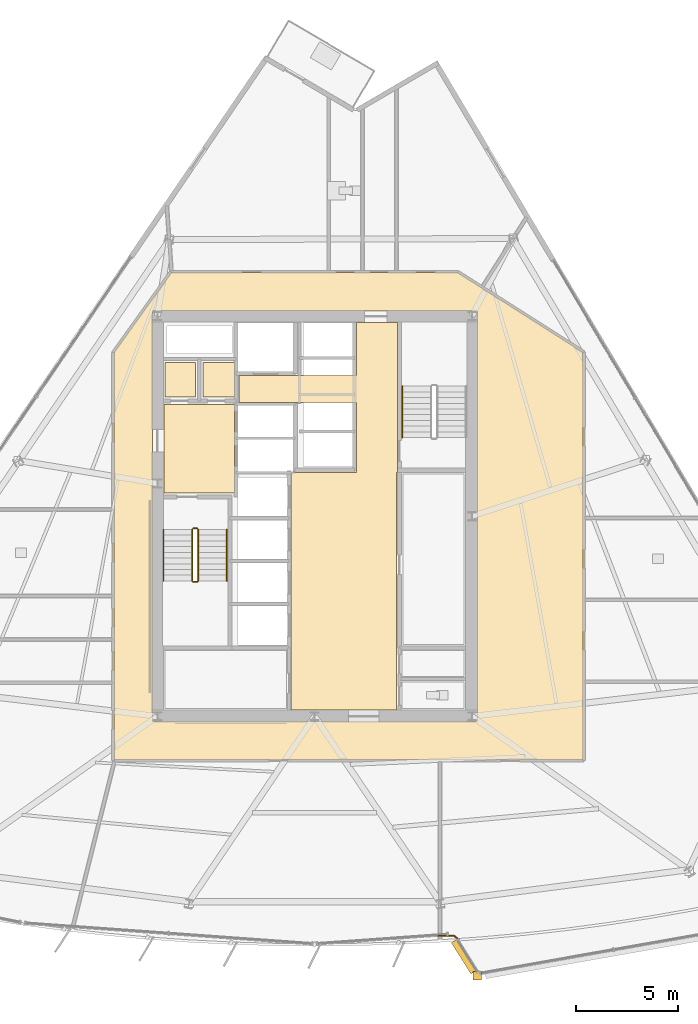
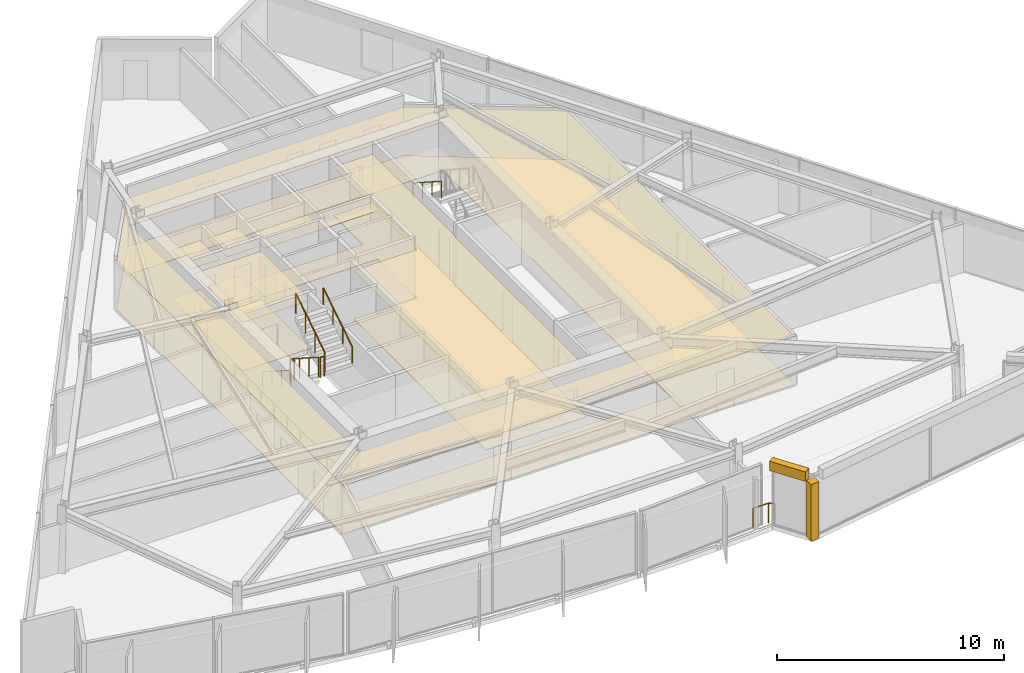
# One storey, part 12 of 15: 12 coverings, 8 railings.
"""IFC4 building model written with IfcOpenShell, lengths in metres."""

import ifcopenshell
import ifcopenshell.guid

model = None  # the IFC model being written
_history = None  # IfcOwnerHistory: only IFC2X3 demands one
_inside = {}  # id of a spatial element -> (the spatial element, [elements in it])
_under = {}  # id of a project, library or spatial element -> (it, [spatial elements below it])
_declared = {}  # id of a project -> (the project, [libraries it declares])
_typed = {}  # id of a type object -> (the type object, [elements of that type])
_made_of = {}  # id of a material, layer set ... -> (it, [elements and type objects made of it])


def new_model(schema):
    """Start an empty IFC model of exactly this schema.

    Asked for "IFC4X3", IfcOpenShell would pick the latest addendum, in which some entities
    have other attributes; the version numbers below select the first issue.
    IFC2X3 requires an IfcOwnerHistory on every rooted entity: one is made here for all.
    """
    global model, _history
    if schema == "IFC4X3":
        model = ifcopenshell.file(schema_version=(4, 3, 0, 0))
    else:
        model = ifcopenshell.file(schema=schema)
    _inside.clear()
    _under.clear()
    _declared.clear()
    _typed.clear()
    _made_of.clear()
    _history = None
    if model.schema == "IFC2X3":
        org = make("IfcOrganization", Name="unknown")
        user = make(
            "IfcPersonAndOrganization",
            ThePerson=make("IfcPerson", FamilyName="unknown"),
            TheOrganization=org,
        )
        app = make(
            "IfcApplication",
            ApplicationDeveloper=org,
            Version="unknown",
            ApplicationFullName="unknown",
            ApplicationIdentifier="unknown",
        )
        _history = make(
            "IfcOwnerHistory",
            OwningUser=user,
            OwningApplication=app,
            ChangeAction="ADDED",
            CreationDate=0,
        )
    return model


def make(cls, **values):
    """One entity of the class cls with the attributes given. An attribute that is None is left unset."""
    return model.create_entity(
        cls, **{name: value for name, value in values.items() if value is not None}
    )


def rooted(cls, **values):
    """An entity with a GlobalId (a new one), such as an element, a storey or a relation."""
    return make(cls, GlobalId=ifcopenshell.guid.new(), OwnerHistory=_history, **values)


def si_unit(unit_type, name, prefix=None):
    """IfcSIUnit, for example si_unit("LENGTHUNIT", "METRE", prefix="MILLI")."""
    return make("IfcSIUnit", UnitType=unit_type, Prefix=prefix, Name=name)


def assignment(units):
    """IfcUnitAssignment: the units of a project."""
    return None if units is None else make("IfcUnitAssignment", Units=units)


def point(xyz):
    """IfcCartesianPoint."""
    return None if xyz is None else make("IfcCartesianPoint", Coordinates=xyz)


def direction(xyz):
    """IfcDirection."""
    return None if xyz is None else make("IfcDirection", DirectionRatios=xyz)


def frame(location, z_axis=None, x_axis=None):
    """IfcAxis2Placement3D, a coordinate frame: its origin and axes. An axis left out is left unset."""
    return make(
        "IfcAxis2Placement3D",
        Location=point(location),
        Axis=direction(z_axis),
        RefDirection=direction(x_axis),
    )


def frame_2d(location, x_axis=None):
    """IfcAxis2Placement2D, a coordinate frame in the plane: its origin and x axis."""
    return make(
        "IfcAxis2Placement2D", Location=point(location), RefDirection=direction(x_axis)
    )


def origin():
    """The frame at (0, 0, 0) with its axes left unset."""
    return frame((0.0, 0.0, 0.0))


def origin_2d():
    """The frame at (0, 0) in the plane with its x axis left unset."""
    return frame_2d((0.0, 0.0))


def place(relative_to, where):
    """IfcLocalPlacement: puts the frame where relative to a parent placement (None: the world)."""
    return make(
        "IfcLocalPlacement", PlacementRelTo=relative_to, RelativePlacement=where
    )


def context(
    kind, dimensions, precision=None, world=None, true_north=None, identifier=None
):
    """IfcGeometricRepresentationContext, for example the 3D "Model" context."""
    return make(
        "IfcGeometricRepresentationContext",
        ContextIdentifier=identifier,
        ContextType=kind,
        CoordinateSpaceDimension=dimensions,
        Precision=precision,
        WorldCoordinateSystem=world,
        TrueNorth=true_north,
    )


def subcontext(parent, identifier, kind, view, scale=None):
    """IfcGeometricRepresentationSubContext, for example "Body" below "Model"."""
    return make(
        "IfcGeometricRepresentationSubContext",
        ContextIdentifier=identifier,
        ContextType=kind,
        ParentContext=parent,
        TargetScale=scale,
        TargetView=view,
    )


def project(units=None, contexts=None):
    """IfcProject with its units and contexts."""
    return rooted(
        "IfcProject",
        Name="project",
        RepresentationContexts=contexts,
        UnitsInContext=assignment(units),
    )


def spatial(cls, under=None, at=None, **own):
    """A site, building, storey or space (cls), placed at a placement, below another one or the project."""
    s = rooted(cls, ObjectPlacement=at, **own)
    if under is not None:
        _under.setdefault(under.id(), (under, []))[1].append(s)
    return s


def polyline(points):
    """IfcPolyline through the points."""
    return make("IfcPolyline", Points=[point(p) for p in points])


def profile(cls, at=None, kind="AREA", **sizes):
    """A parametric profile (cls). Its sizes go by their IFC names, for example OverallWidth=200.0."""
    return make(cls, ProfileType=kind, Position=at, **sizes)


def circle(**sizes):
    """IfcCircleProfileDef."""
    return profile("IfcCircleProfileDef", **sizes)


def outline(outer, holes=None, kind="AREA"):
    """IfcArbitraryClosedProfileDef: a profile drawn as a closed curve; with holes, ...WithVoids."""
    if holes is None:
        return make("IfcArbitraryClosedProfileDef", ProfileType=kind, OuterCurve=outer)
    return make(
        "IfcArbitraryProfileDefWithVoids",
        ProfileType=kind,
        OuterCurve=outer,
        InnerCurves=holes,
    )


def extrude(swept, where, along, depth):
    """IfcExtrudedAreaSolid: the profile swept, set in the frame where, extruded along a direction by depth."""
    return make(
        "IfcExtrudedAreaSolid",
        SweptArea=swept,
        Position=where,
        ExtrudedDirection=direction(along),
        Depth=depth,
    )


def shape(context_of_items, identifier, shape_type, items):
    """IfcShapeRepresentation: the items that make up one representation, for example the "Body"."""
    return make(
        "IfcShapeRepresentation",
        ContextOfItems=context_of_items,
        RepresentationIdentifier=identifier,
        RepresentationType=shape_type,
        Items=items,
    )


def material(Name=None, Category=None):
    """IfcMaterial."""
    return make("IfcMaterial", Name=Name, Category=Category)


def layer(
    of_material, thickness, ventilated=None, Name=None, Category=None, Priority=None
):
    """IfcMaterialLayer: one layer of a wall or slab, of a material (None: an air gap)."""
    return make(
        "IfcMaterialLayer",
        Material=of_material,
        LayerThickness=thickness,
        IsVentilated=ventilated,
        Name=Name,
        Category=Category,
        Priority=Priority,
    )


def layer_set(layers, Name=None):
    """IfcMaterialLayerSet."""
    return make("IfcMaterialLayerSet", MaterialLayers=layers, LayerSetName=Name)


def made_of(thing, what):
    """Note that an element or type object is made of a material, layer set ...; save() writes the relation."""
    if what is not None:
        _made_of.setdefault(what.id(), (what, []))[1].append(thing)
    return thing


def type_object(cls, material=None, **own):
    """A type object (cls), such as IfcWallType, which elements share."""
    return made_of(rooted(cls, **own), material)


def element(
    cls,
    number,
    at=None,
    inside=None,
    cuts=None,
    type_object=None,
    material=None,
    context=None,
    identifier="Body",
    shape_type=None,
    held_by="IfcProductDefinitionShape",
    body=None,
    shapes=None,
    **own,
):
    """One element of the class cls, such as IfcWall. Its Tag is "e" and its number.

    at: its placement. inside: the storey or other place that contains it. cuts: it is an
    opening in that element (IfcRelVoidsElement). A single representation is given by context,
    identifier, shape_type and body (its items); several are given by shapes. held_by: the class
    of the entity that holds the representations. save() writes the other relations.
    """
    e = rooted(cls, Tag="e%d" % number, ObjectPlacement=at, **own)
    if body is not None:
        shapes = [shape(context, identifier, shape_type, body)]
    if shapes is not None:
        e.Representation = make(held_by, Representations=shapes)
    if inside is not None:
        _inside.setdefault(inside.id(), (inside, []))[1].append(e)
    if cuts is not None:
        rooted(
            "IfcRelVoidsElement", RelatingBuildingElement=cuts, RelatedOpeningElement=e
        )
    if type_object is not None:
        _typed.setdefault(type_object.id(), (type_object, []))[1].append(e)
    return made_of(e, material)


def aggregate(whole, parts):
    """IfcRelAggregates: a whole, such as a stair, and the parts it consists of."""
    return rooted("IfcRelAggregates", RelatingObject=whole, RelatedObjects=parts)


def save(model, path):
    """Write the relations noted so far, then the file.

    IfcRelAggregates (storeys below a building ...), IfcRelContainedInSpatialStructure (elements
    in a storey), IfcRelDefinesByType, IfcRelAssociatesMaterial and IfcRelDeclares: one each for
    every whole, place, type object, material and project.
    """
    for whole, parts in _under.values():
        aggregate(whole, parts)
    for where, things in _inside.values():
        rooted(
            "IfcRelContainedInSpatialStructure",
            RelatedElements=things,
            RelatingStructure=where,
        )
    for kind, things in _typed.values():
        rooted("IfcRelDefinesByType", RelatedObjects=things, RelatingType=kind)
    for what, things in _made_of.values():
        rooted("IfcRelAssociatesMaterial", RelatedObjects=things, RelatingMaterial=what)
    for by, libraries in _declared.values():
        rooted("IfcRelDeclares", RelatingContext=by, RelatedDefinitions=libraries)
    model.write(path)


model = new_model("IFC4")

# Units and contexts
model_context = context("Model", 3, precision=1e-05, world=origin(), true_north=direction((0.0, 1.0)))
body_context = subcontext(model_context, "Body", "Model", "MODEL_VIEW")
ifc_project = project(units=[si_unit("LENGTHUNIT", "METRE"), si_unit("AREAUNIT", "SQUARE_METRE"), si_unit("VOLUMEUNIT", "CUBIC_METRE"), si_unit("PLANEANGLEUNIT", "RADIAN"), si_unit("MASSUNIT", "GRAM", prefix="KILO")], contexts=[model_context])

# Site, building, storey
site_placement = place(None, origin())
site = spatial("IfcSite", under=ifc_project, at=site_placement, CompositionType="ELEMENT")
building_placement = place(site_placement, origin())
building = spatial("IfcBuilding", under=site, at=building_placement, Name="Savorim Split Tower", CompositionType="ELEMENT")
storey_placement = place(building_placement, frame((0.0, 0.0, 125.699951171875)))
storey = spatial("IfcBuildingStorey", under=building, at=storey_placement, Name="L33", CompositionType="ELEMENT", Elevation=125.699951171875)

# Coverings
ifc_material_1 = material(Name="Mineral Fibre Acoustic Ceiling")
ifc_layer_1 = layer(ifc_material_1, 0.02490234375)
ifc_layer_set_1 = layer_set([ifc_layer_1], Name="COV-CEIL-25")
covering_type_1 = type_object("IfcCoveringType", Name="COV-CEIL-25", PredefinedType="CEILING", material=ifc_layer_set_1)
covering_1_placement = place(storey_placement, frame((0.0, 0.0, 2.60009765625)))
element("IfcCovering", 1, at=covering_1_placement, inside=storey, type_object=covering_type_1, Name="L33 Firefighting Lift Lobby Acoustic Ceiling", PredefinedType="CEILING", context=body_context, shape_type="SweptSolid", body=[
    extrude(outline(polyline([(-7.3798828125, 5.8701171875), (-7.3798828125, 1.530029296875), (-3.929931640625, 1.530029296875), (-3.929931640625, 5.8701171875), (-7.3798828125, 5.8701171875)])), origin(), (0.0, 0.0, 1.0), 0.02490234375),
])
covering_2_placement = place(storey_placement, frame((0.0, 0.0, 2.60009765625)))
element("IfcCovering", 2, at=covering_2_placement, inside=storey, type_object=covering_type_1, Name="L33 Electrical Riser Acoustic Ceiling", PredefinedType="CEILING", context=body_context, shape_type="SweptSolid", body=[
    extrude(outline(polyline([(-7.320068359375, 7.919921875), (-7.320068359375, 6.22998046875), (-5.830078125, 6.22998046875), (-5.830078125, 7.919921875), (-7.320068359375, 7.919921875)])), origin(), (0.0, 0.0, 1.0), 0.02490234375),
])
covering_3_placement = place(storey_placement, frame((0.0, 0.0, 2.60009765625)))
element("IfcCovering", 3, at=covering_3_placement, inside=storey, type_object=covering_type_1, Name="L33 Telecom Riser Acoustic Ceiling", PredefinedType="CEILING", context=body_context, shape_type="SweptSolid", body=[
    extrude(outline(polyline([(-5.469970703125, 7.919921875), (-5.469970703125, 6.22998046875), (-3.929931640625, 6.22998046875), (-3.929931640625, 7.919921875), (-5.469970703125, 7.919921875)])), origin(), (0.0, 0.0, 1.0), 0.02490234375),
])
covering_4_placement = place(storey_placement, frame((0.0, 0.0, 2.60009765625)))
element("IfcCovering", 4, at=covering_4_placement, inside=storey, type_object=covering_type_1, Name="L33 Lift Lobby Acoustic Ceiling", PredefinedType="CEILING", context=body_context, shape_type="SweptSolid", body=[
    extrude(outline(polyline([(2.050048828125, 2.550048828125), (-1.14990234375, 2.550048828125), (-1.14990234375, -9.10009765625), (4.0, -9.10009765625), (4.0, 2.550048828125), (4.050048828125, 2.550048828125), (4.050048828125, 5.97998046875), (4.050048828125, 7.300048828125), (4.050048828125, 9.8798828125), (2.050048828125, 9.8798828125), (2.050048828125, 7.300048828125), (-3.699951171875, 7.300048828125), (-3.699951171875, 5.97998046875), (2.050048828125, 5.97998046875), (2.050048828125, 2.550048828125)])), origin(), (0.0, 0.0, 1.0), 0.02490234375),
])
covering_5_placement = place(storey_placement, frame((0.0, 0.0, 2.60009765625)))
element("IfcCovering", 5, at=covering_5_placement, inside=storey, type_object=covering_type_1, Name="L33 Corridor Acoustic Ceiling", PredefinedType="CEILING", context=body_context, shape_type="SweptSolid", body=[
    extrude(outline(polyline([(7.009521484375, 12.3291015625), (7.004638671875, 12.329833984375), (7.0, 12.330078125), (-7.0, 12.330078125), (-7.004638671875, 12.329833984375), (-7.009521484375, 12.3291015625), (-7.013916015625, 12.327880859375), (-7.0185546875, 12.326416015625), (-7.022705078125, 12.324462890625), (-7.027099609375, 12.322021484375), (-7.03076171875, 12.3193359375), (-7.034423828125, 12.31640625), (-7.03759765625, 12.312744140625), (-7.04052734375, 12.30908203125), (-9.820556640625, 8.42919921875), (-9.823486328125, 8.4248046875), (-9.82568359375, 8.420166015625), (-9.82763671875, 8.415283203125), (-9.828857421875, 8.410400390625), (-9.82958984375, 8.4052734375), (-9.830078125, 8.39990234375), (-9.830078125, -11.47998046875), (-9.829833984375, -11.48486328125), (-9.8291015625, -11.48974609375), (-9.827880859375, -11.494384765625), (-9.826171875, -11.4990234375), (-9.82421875, -11.503662109375), (-9.821533203125, -11.5078125), (-9.818603515625, -11.51171875), (-9.8154296875, -11.515380859375), (-9.811767578125, -11.518798828125), (-9.807861328125, -11.521484375), (-9.8037109375, -11.524169921875), (-9.799072265625, -11.526123046875), (-9.79443359375, -11.52783203125), (-9.789794921875, -11.529052734375), (-9.784912109375, -11.52978515625), (-9.780029296875, -11.530029296875), (13.10009765625, -11.530029296875), (13.10498046875, -11.52978515625), (13.10986328125, -11.529052734375), (13.114501953125, -11.52783203125), (13.119140625, -11.526123046875), (13.12353515625, -11.524169921875), (13.127685546875, -11.521484375), (13.131591796875, -11.518798828125), (13.135498046875, -11.515380859375), (13.138671875, -11.51171875), (13.1416015625, -11.5078125), (13.14404296875, -11.503662109375), (13.146240234375, -11.4990234375), (13.147705078125, -11.494384765625), (13.14892578125, -11.48974609375), (13.14990234375, -11.48486328125), (13.14990234375, -11.47998046875), (13.14990234375, 8.39990234375), (13.149658203125, 8.405029296875), (13.14892578125, 8.409912109375), (13.147705078125, 8.414794921875), (13.14599609375, 8.41943359375), (13.143798828125, 8.424072265625), (13.14111328125, 8.42822265625), (13.13818359375, 8.432373046875), (13.134765625, 8.43603515625), (13.130859375, 8.439208984375), (13.126708984375, 8.442138671875), (7.02685546875, 12.322265625), (7.022705078125, 12.324462890625), (7.018310546875, 12.326416015625), (7.013916015625, 12.327880859375), (7.009521484375, 12.3291015625)]), holes=[polyline([(-7.949951171875, 10.449951171875), (-7.949951171875, -9.64990234375), (7.949951171875, -9.64990234375), (7.949951171875, 10.449951171875), (-7.949951171875, 10.449951171875)])]), origin(), (0.0, 0.0, 1.0), 0.02490234375),
])
ifc_material_2 = material(Name="Porcelain Stoneware Flooring", Category="masonry")
ifc_layer_2 = layer(ifc_material_2, 0.02001953125)
ifc_layer_set_2 = layer_set([ifc_layer_2], Name="COV-FLOR-20")
covering_type_2 = type_object("IfcCoveringType", Name="COV-FLOR-20", PredefinedType="FLOORING", material=ifc_layer_set_2)
covering_6_placement = place(storey_placement, origin())
element("IfcCovering", 6, at=covering_6_placement, inside=storey, type_object=covering_type_2, Name="L33 Firefighting Lift Lobby Porcelain Flooring", PredefinedType="FLOORING", context=body_context, shape_type="SweptSolid", body=[
    extrude(outline(polyline([(-7.3798828125, 5.8701171875), (-7.3798828125, 1.530029296875), (-3.929931640625, 1.530029296875), (-3.929931640625, 5.8701171875), (-7.3798828125, 5.8701171875)])), origin(), (0.0, 0.0, 1.0), 0.02001953125),
])
covering_7_placement = place(storey_placement, origin())
element("IfcCovering", 7, at=covering_7_placement, inside=storey, type_object=covering_type_2, Name="L33 Electrical Riser Porcelain Flooring", PredefinedType="FLOORING", context=body_context, shape_type="SweptSolid", body=[
    extrude(outline(polyline([(-7.320068359375, 7.919921875), (-7.320068359375, 6.22998046875), (-5.830078125, 6.22998046875), (-5.830078125, 7.919921875), (-7.320068359375, 7.919921875)])), origin(), (0.0, 0.0, 1.0), 0.02001953125),
])
covering_8_placement = place(storey_placement, origin())
element("IfcCovering", 8, at=covering_8_placement, inside=storey, type_object=covering_type_2, Name="L33 Telecom Riser Porcelain Flooring", PredefinedType="FLOORING", context=body_context, shape_type="SweptSolid", body=[
    extrude(outline(polyline([(-5.469970703125, 7.919921875), (-5.469970703125, 6.22998046875), (-3.929931640625, 6.22998046875), (-3.929931640625, 7.919921875), (-5.469970703125, 7.919921875)])), origin(), (0.0, 0.0, 1.0), 0.02001953125),
])
covering_9_placement = place(storey_placement, origin())
element("IfcCovering", 9, at=covering_9_placement, inside=storey, type_object=covering_type_2, Name="L33 Lift Lobby Porcelain Flooring", PredefinedType="FLOORING", context=body_context, shape_type="SweptSolid", body=[
    extrude(outline(polyline([(2.050048828125, 2.550048828125), (-1.14990234375, 2.550048828125), (-1.14990234375, -9.10009765625), (4.0, -9.10009765625), (4.0, 2.550048828125), (4.050048828125, 2.550048828125), (4.050048828125, 5.97998046875), (4.050048828125, 7.300048828125), (4.050048828125, 9.8798828125), (2.050048828125, 9.8798828125), (2.050048828125, 7.300048828125), (-3.699951171875, 7.300048828125), (-3.699951171875, 5.97998046875), (2.050048828125, 5.97998046875), (2.050048828125, 2.550048828125)])), origin(), (0.0, 0.0, 1.0), 0.02001953125),
])
covering_10_placement = place(storey_placement, origin())
element("IfcCovering", 10, at=covering_10_placement, inside=storey, type_object=covering_type_2, Name="L33 Corridor Porcelain Flooring", PredefinedType="FLOORING", context=body_context, shape_type="SweptSolid", body=[
    extrude(outline(polyline([(7.009521484375, 12.3291015625), (7.004638671875, 12.329833984375), (7.0, 12.330078125), (-7.0, 12.330078125), (-7.004638671875, 12.329833984375), (-7.009521484375, 12.3291015625), (-7.013916015625, 12.327880859375), (-7.0185546875, 12.326416015625), (-7.022705078125, 12.324462890625), (-7.027099609375, 12.322021484375), (-7.03076171875, 12.3193359375), (-7.034423828125, 12.31640625), (-7.03759765625, 12.312744140625), (-7.04052734375, 12.30908203125), (-9.820556640625, 8.42919921875), (-9.823486328125, 8.4248046875), (-9.82568359375, 8.420166015625), (-9.82763671875, 8.415283203125), (-9.828857421875, 8.410400390625), (-9.82958984375, 8.4052734375), (-9.830078125, 8.39990234375), (-9.830078125, -11.47998046875), (-9.829833984375, -11.48486328125), (-9.8291015625, -11.48974609375), (-9.827880859375, -11.494384765625), (-9.826171875, -11.4990234375), (-9.82421875, -11.503662109375), (-9.821533203125, -11.5078125), (-9.818603515625, -11.51171875), (-9.8154296875, -11.515380859375), (-9.811767578125, -11.518798828125), (-9.807861328125, -11.521484375), (-9.8037109375, -11.524169921875), (-9.799072265625, -11.526123046875), (-9.79443359375, -11.52783203125), (-9.789794921875, -11.529052734375), (-9.784912109375, -11.52978515625), (-9.780029296875, -11.530029296875), (13.10009765625, -11.530029296875), (13.10498046875, -11.52978515625), (13.10986328125, -11.529052734375), (13.114501953125, -11.52783203125), (13.119140625, -11.526123046875), (13.12353515625, -11.524169921875), (13.127685546875, -11.521484375), (13.131591796875, -11.518798828125), (13.135498046875, -11.515380859375), (13.138671875, -11.51171875), (13.1416015625, -11.5078125), (13.14404296875, -11.503662109375), (13.146240234375, -11.4990234375), (13.147705078125, -11.494384765625), (13.14892578125, -11.48974609375), (13.14990234375, -11.48486328125), (13.14990234375, -11.47998046875), (13.14990234375, 8.39990234375), (13.149658203125, 8.405029296875), (13.14892578125, 8.409912109375), (13.147705078125, 8.414794921875), (13.14599609375, 8.41943359375), (13.143798828125, 8.424072265625), (13.14111328125, 8.42822265625), (13.13818359375, 8.432373046875), (13.134765625, 8.43603515625), (13.130859375, 8.439208984375), (13.126708984375, 8.442138671875), (7.02685546875, 12.322265625), (7.022705078125, 12.324462890625), (7.018310546875, 12.326416015625), (7.013916015625, 12.327880859375), (7.009521484375, 12.3291015625)]), holes=[polyline([(-7.949951171875, 10.449951171875), (-7.949951171875, -9.64990234375), (7.949951171875, -9.64990234375), (7.949951171875, 10.449951171875), (-7.949951171875, 10.449951171875)])]), origin(), (0.0, 0.0, 1.0), 0.02001953125),
])
ifc_material_3 = material(Name="White Porcelain Architectural Cladding")
ifc_layer_3 = layer(ifc_material_3, 0.139892578125)
ifc_layer_set_3 = layer_set([ifc_layer_3], Name="COV-FRM-WHITE")
covering_type_3 = type_object("IfcCoveringType", Name="COV-FRM-WHITE", PredefinedType="CLADDING", material=ifc_layer_set_3)
covering_11_placement = place(storey_placement, frame((0.0, 0.0, 3.080078125)))
element("IfcCovering", 11, at=covering_11_placement, inside=storey, type_object=covering_type_3, Name="L33 Cantilevered Lounge White Upper Cornice Band W", PredefinedType="CLADDING", context=body_context, shape_type="SweptSolid", body=[
    extrude(outline(polyline([(6.696533203125, -20.48828125), (7.653076171875, -22.01318359375), (7.941162109375, -21.83251953125), (6.984619140625, -20.3076171875), (6.696533203125, -20.48828125)])), origin(), (0.0, 0.0, 1.0), 0.510009765625),
])
covering_12_placement = place(storey_placement, frame((0.0, 0.0, 0.010009765625)))
element("IfcCovering", 12, at=covering_12_placement, inside=storey, type_object=covering_type_3, Name="L33 Cantilevered Lounge White Frame Corner Post 1", PredefinedType="CLADDING", context=body_context, shape_type="SweptSolid", body=[
    extrude(outline(polyline([(7.757080078125, -22.3095703125), (8.177001953125, -22.3095703125), (8.177001953125, -21.889404296875), (7.757080078125, -21.889404296875), (7.757080078125, -22.3095703125)])), origin(), (0.0, 0.0, 1.0), 3.050048828125),
])

# Railings
ifc_material_4 = material(Name="Galvanised Painted Steel Balustrade", Category="steel")
railing_type_1 = type_object("IfcRailingType", Name="RLG-BAL-1100", PredefinedType="BALUSTRADE", material=ifc_material_4)
railing_1_placement = place(storey_placement, frame((6.060302734375, -20.153564453125, 0.0)))
element("IfcRailing", 13, at=railing_1_placement, inside=storey, type_object=railing_type_1, Name="L33 Cantilevered Lounge West Edge Closure Guard", PredefinedType="BALUSTRADE", context=body_context, shape_type="SweptSolid", body=[
    extrude(circle(Radius=0.02392578125, at=origin_2d()), frame((0.0, 0.0, 1.076171875), z_axis=(1.0, 0.0, 0.0), x_axis=(0.0, 1.0, 0.0)), (0.0, 0.0, 1.0), 0.780029296875),
    extrude(circle(Radius=0.02392578125, at=origin_2d()), frame((0.780029296875, 0.0, 1.076171875), z_axis=(0.810013375231, -0.586411401617, 0.0), x_axis=(0.586411401617, 0.810013375231, 0.0)), (0.0, 0.0, 1.0), 0.280517578125),
    extrude(circle(Radius=0.02099609375, at=origin_2d()), origin(), (0.0, 0.0, 1.0), 1.052001953125),
    extrude(circle(Radius=0.02099609375, at=origin_2d()), frame((0.780029296875, 0.0, 0.0)), (0.0, 0.0, 1.0), 1.052001953125),
    extrude(circle(Radius=0.02099609375, at=origin_2d()), frame((1.00732421875, -0.16455078125, 0.0)), (0.0, 0.0, 1.0), 1.052001953125),
])
railing_type_2 = type_object("IfcRailingType", Name="RLG-HR-900", PredefinedType="HANDRAIL", material=ifc_material_4)
railing_2_placement = place(storey_placement, frame((-7.39990234375, -0.25, 0.179931640625)))
element("IfcRailing", 14, at=railing_2_placement, inside=storey, type_object=railing_type_2, Name="L33 ST-1 stair handrail 1", PredefinedType="HANDRAIL", context=body_context, shape_type="SweptSolid", body=[
    extrude(circle(Radius=0.02392578125, at=origin_2d()), frame((0.0, 0.0, 0.8759765625), z_axis=(0.0, -0.841162588446, 0.540782303519), x_axis=(1.0, 0.0, 0.0)), (0.0, 0.0, 1.0), 2.995849609375),
    extrude(circle(Radius=0.02099609375, at=origin_2d()), origin(), (0.0, 0.0, 1.0), 0.851806640625),
    extrude(circle(Radius=0.02099609375, at=origin_2d()), frame((0.0, -0.840087890625, 0.5400390625)), (0.0, 0.0, 1.0), 0.851806640625),
    extrude(circle(Radius=0.02099609375, at=origin_2d()), frame((0.0, -1.679931640625, 1.080078125)), (0.0, 0.0, 1.0), 0.851806640625),
    extrude(circle(Radius=0.02099609375, at=origin_2d()), frame((0.0, -2.52001953125, 1.6201171875)), (0.0, 0.0, 1.0), 0.851806640625),
])
railing_3_placement = place(storey_placement, frame((-4.300048828125, -2.77001953125, 1.97998046875)))
element("IfcRailing", 15, at=railing_3_placement, inside=storey, type_object=railing_type_2, Name="L33 ST-1 stair handrail 2", PredefinedType="HANDRAIL", context=body_context, shape_type="SweptSolid", body=[
    extrude(circle(Radius=0.02392578125, at=origin_2d()), frame((0.0, 0.0, 0.8759765625), z_axis=(0.0, 0.841162588446, 0.540782303519), x_axis=(-1.0, 0.0, 0.0)), (0.0, 0.0, 1.0), 2.995849609375),
    extrude(circle(Radius=0.02099609375, at=origin_2d()), origin(), (0.0, 0.0, 1.0), 0.851806640625),
    extrude(circle(Radius=0.02099609375, at=origin_2d()), frame((0.0, 0.840087890625, 0.5400390625)), (0.0, 0.0, 1.0), 0.851806640625),
    extrude(circle(Radius=0.02099609375, at=origin_2d()), frame((0.0, 1.679931640625, 1.080078125)), (0.0, 0.0, 1.0), 0.851806640625),
    extrude(circle(Radius=0.02099609375, at=origin_2d()), frame((0.0, 2.52001953125, 1.6201171875)), (0.0, 0.0, 1.0), 0.851806640625),
])
railing_4_placement = place(storey_placement, frame((4.300048828125, 6.77001953125, 1.97998046875)))
element("IfcRailing", 16, at=railing_4_placement, inside=storey, type_object=railing_type_2, Name="L33 ST-2 stair handrail 2", PredefinedType="HANDRAIL", context=body_context, shape_type="SweptSolid", body=[
    extrude(circle(Radius=0.02392578125, at=origin_2d()), frame((0.0, 0.0, 0.8759765625), z_axis=(0.0, -0.841162588446, 0.540782303519), x_axis=(1.0, 0.0, 0.0)), (0.0, 0.0, 1.0), 2.995849609375),
    extrude(circle(Radius=0.02099609375, at=origin_2d()), origin(), (0.0, 0.0, 1.0), 0.851806640625),
    extrude(circle(Radius=0.02099609375, at=origin_2d()), frame((0.0, -0.840087890625, 0.5400390625)), (0.0, 0.0, 1.0), 0.851806640625),
    extrude(circle(Radius=0.02099609375, at=origin_2d()), frame((0.0, -1.679931640625, 1.080078125)), (0.0, 0.0, 1.0), 0.851806640625),
    extrude(circle(Radius=0.02099609375, at=origin_2d()), frame((0.0, -2.52001953125, 1.6201171875)), (0.0, 0.0, 1.0), 0.851806640625),
])
railing_type_3 = type_object("IfcRailingType", Name="RLG-STG-1100", PredefinedType="BALUSTRADE", material=ifc_material_4)
railing_5_placement = place(storey_placement, frame((-6.0, -0.25, 0.179931640625)))
element("IfcRailing", 17, at=railing_5_placement, inside=storey, type_object=railing_type_3, Name="L33 ST-1 stair guard 1", PredefinedType="BALUSTRADE", context=body_context, shape_type="SweptSolid", body=[
    extrude(circle(Radius=0.02392578125, at=origin_2d()), frame((0.0, 0.0, 1.076171875), z_axis=(0.0, -0.841162588446, 0.540782303519), x_axis=(1.0, 0.0, 0.0)), (0.0, 0.0, 1.0), 2.995849609375),
    extrude(circle(Radius=0.02099609375, at=origin_2d()), origin(), (0.0, 0.0, 1.0), 1.052001953125),
    extrude(circle(Radius=0.02099609375, at=origin_2d()), frame((0.0, -0.840087890625, 0.5400390625)), (0.0, 0.0, 1.0), 1.052001953125),
    extrude(circle(Radius=0.02099609375, at=origin_2d()), frame((0.0, -1.679931640625, 1.080078125)), (0.0, 0.0, 1.0), 1.052001953125),
    extrude(circle(Radius=0.02099609375, at=origin_2d()), frame((0.0, -2.52001953125, 1.6201171875)), (0.0, 0.0, 1.0), 1.052001953125),
])
railing_6_placement = place(storey_placement, frame((-5.949951171875, -2.820068359375, 1.800048828125)))
element("IfcRailing", 18, at=railing_6_placement, inside=storey, type_object=railing_type_3, Name="L33 ST-1 stair guard 2", PredefinedType="BALUSTRADE", context=body_context, shape_type="SweptSolid", body=[
    extrude(circle(Radius=0.02392578125, at=origin_2d()), frame((0.0, 0.0, 1.076171875), z_axis=(1.0, 0.0, 0.0), x_axis=(0.0, 1.0, 0.0)), (0.0, 0.0, 1.0), 0.199951171875),
    extrude(circle(Radius=0.02099609375, at=origin_2d()), origin(), (0.0, 0.0, 1.0), 1.052001953125),
    extrude(circle(Radius=0.02099609375, at=origin_2d()), frame((0.199951171875, 0.0, 0.0)), (0.0, 0.0, 1.0), 1.052001953125),
])
railing_7_placement = place(storey_placement, frame((-5.699951171875, -2.77001953125, 1.97998046875)))
element("IfcRailing", 19, at=railing_7_placement, inside=storey, type_object=railing_type_3, Name="L33 ST-1 stair guard 3", PredefinedType="BALUSTRADE", context=body_context, shape_type="SweptSolid", body=[
    extrude(circle(Radius=0.02392578125, at=origin_2d()), frame((0.0, 0.0, 1.076171875), z_axis=(0.0, 0.841162588446, 0.540782303519), x_axis=(-1.0, 0.0, 0.0)), (0.0, 0.0, 1.0), 2.995849609375),
    extrude(circle(Radius=0.02099609375, at=origin_2d()), origin(), (0.0, 0.0, 1.0), 1.052001953125),
    extrude(circle(Radius=0.02099609375, at=origin_2d()), frame((0.0, 0.840087890625, 0.5400390625)), (0.0, 0.0, 1.0), 1.052001953125),
    extrude(circle(Radius=0.02099609375, at=origin_2d()), frame((0.0, 1.679931640625, 1.080078125)), (0.0, 0.0, 1.0), 1.052001953125),
    extrude(circle(Radius=0.02099609375, at=origin_2d()), frame((0.0, 2.52001953125, 1.6201171875)), (0.0, 0.0, 1.0), 1.052001953125),
])
railing_8_placement = place(storey_placement, frame((-5.949951171875, -0.199951171875, 0.0)))
element("IfcRailing", 20, at=railing_8_placement, inside=storey, type_object=railing_type_3, Name="L33 ST-1 stair guard 4", PredefinedType="BALUSTRADE", context=body_context, shape_type="SweptSolid", body=[
    extrude(circle(Radius=0.02392578125, at=origin_2d()), frame((0.0, 0.0, 1.076171875), z_axis=(1.0, 0.0, 0.0), x_axis=(0.0, 1.0, 0.0)), (0.0, 0.0, 1.0), 0.199951171875),
    extrude(circle(Radius=0.02099609375, at=origin_2d()), origin(), (0.0, 0.0, 1.0), 1.052001953125),
    extrude(circle(Radius=0.02099609375, at=origin_2d()), frame((0.199951171875, 0.0, 0.0)), (0.0, 0.0, 1.0), 1.052001953125),
])

save(model, "model.ifc")
